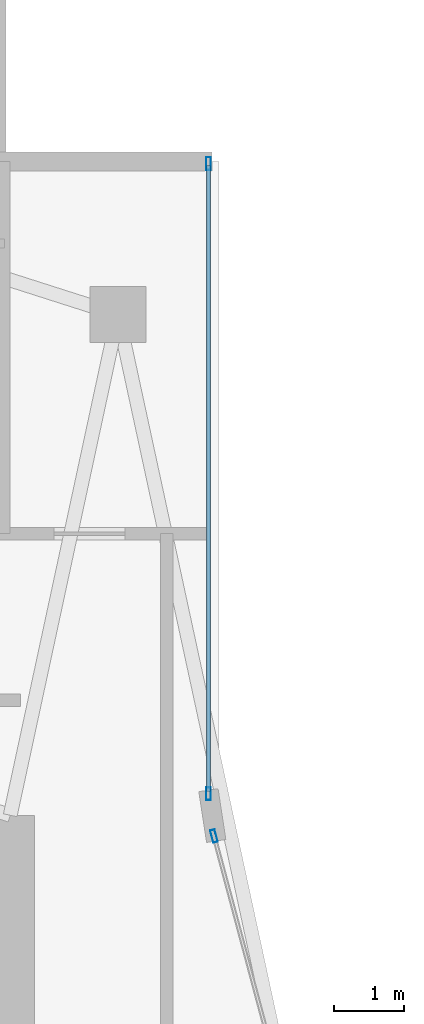
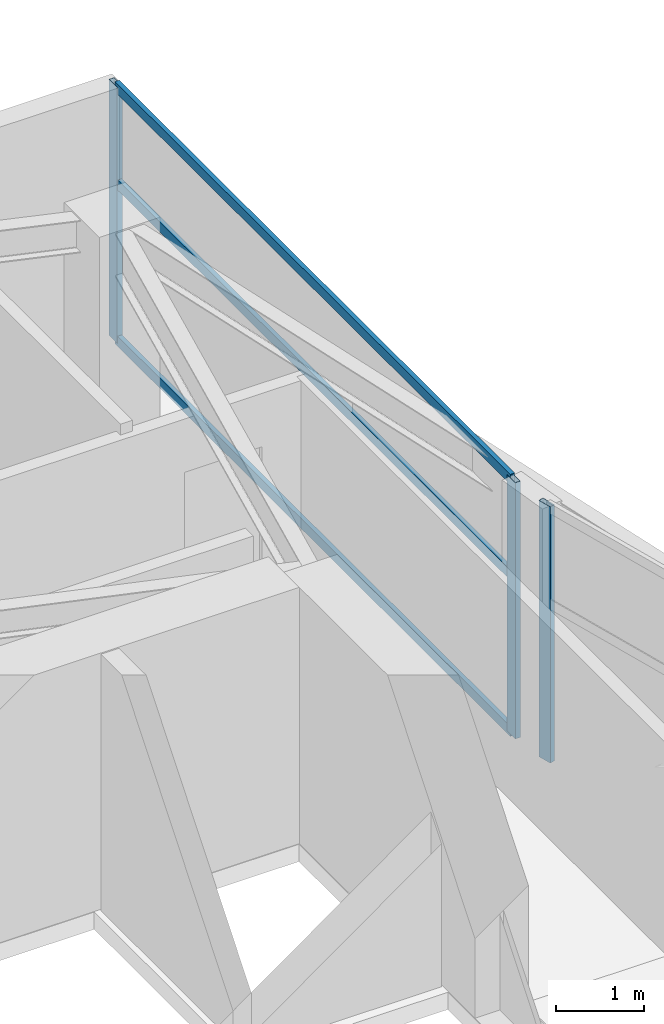
# One storey, part 18 of 27: 6 members, 2 elements without a shape of their own.
"""IFC4 building model written with IfcOpenShell, lengths in metres."""

from ifc_helpers import new_model, si_unit, direction, frame, origin, origin_2d, place, context, subcontext, project, spatial, hollow_rectangle, extrude, material, layer, layer_set, material_profile, profile_set, type_object, element, aggregate, save


model = new_model("IFC4")

# Units and contexts
model_context = context("Model", 3, precision=1e-05, world=origin(), true_north=direction((0.0, 1.0)))
body_context = subcontext(model_context, "Body", "Model", "MODEL_VIEW")
ifc_project = project(units=[si_unit("LENGTHUNIT", "METRE"), si_unit("AREAUNIT", "SQUARE_METRE"), si_unit("VOLUMEUNIT", "CUBIC_METRE"), si_unit("PLANEANGLEUNIT", "RADIAN"), si_unit("MASSUNIT", "GRAM", prefix="KILO")], contexts=[model_context])

# Site, building, storey
site_placement = place(None, origin())
site = spatial("IfcSite", under=ifc_project, at=site_placement, CompositionType="ELEMENT")
building_placement = place(site_placement, origin())
building = spatial("IfcBuilding", under=site, at=building_placement, Name="Calvorn Quay Hotel", CompositionType="ELEMENT")
storey_placement = place(building_placement, frame((0.0, 0.0, 226.89990234375)))
storey = spatial("IfcBuildingStorey", under=building, at=storey_placement, Name="L56", CompositionType="ELEMENT", Elevation=226.89990234375)

# Curtain wall, member
ifc_material_1 = material(Name="Champagne Bronze Anodised Aluminium and Low-E Glass", Category="aluminium")
ifc_layer = layer(ifc_material_1, 0.219970703125)
ifc_layer_set = layer_set([ifc_layer], Name="CW-SYS-Z3")
curtain_wall_type = type_object("IfcCurtainWallType", Name="CW-SYS-Z3", PredefinedType="NOTDEFINED", material=ifc_layer_set)
curtain_wall_1_placement = place(storey_placement, origin())
curtain_wall_1 = element("IfcCurtainWall", 1, at=curtain_wall_1_placement, inside=storey, type_object=curtain_wall_type, Name="Inner Court Curtain Wall L56-IC1", PredefinedType="NOTDEFINED")
ifc_material_2 = material(Name="Champagne Bronze Anodised Aluminium 6063-T6", Category="aluminium")
ifc_material_profile_1 = material_profile(ifc_material_2, hollow_rectangle(XDim=0.068115234375, YDim=0.18505859375, WallThickness=0.00390625, at=origin_2d()), Name="ALU-M185x68x4")
ifc_profile_set_1 = profile_set([ifc_material_profile_1], Name="Champagne Bronze Anodised Aluminium 6063-T6")
member_type_1 = type_object("IfcMemberType", Name="CW-SYS-Z3-MUL", PredefinedType="MULLION", material=ifc_profile_set_1)
member_1_placement = place(storey_placement, frame((17.9296875, 38.10107421875, 0.0), z_axis=(0.0, 0.0, 1.0), x_axis=(-0.96593652056, -0.25877913024, 0.0)))
member_1 = element("IfcMember", 2, at=member_1_placement, type_object=member_type_1, Name="CW-L56-IC1 mullion 2", PredefinedType="MULLION", context=body_context, shape_type="SweptSolid", body=[
    extrude(hollow_rectangle(XDim=0.068115234375, YDim=0.18505859375, WallThickness=0.00390625, at=origin_2d()), origin(), (0.0, 0.0, 1.0), 3.56005859375),
])
aggregate(curtain_wall_1, [member_1])

# Curtain wall, members
curtain_wall_2_placement = place(storey_placement, origin())
curtain_wall_2 = element("IfcCurtainWall", 3, at=curtain_wall_2_placement, inside=storey, type_object=curtain_wall_type, Name="Inner Court Curtain Wall L56-IC2", PredefinedType="NOTDEFINED")
member_2_placement = place(storey_placement, frame((17.85009765625, 38.7099609375, 0.0), z_axis=(0.0, 0.0, 1.0), x_axis=(-1.0, 0.0, 0.0)))
member_2 = element("IfcMember", 4, at=member_2_placement, type_object=member_type_1, Name="CW-L56-IC2 mullion 1", PredefinedType="MULLION", context=body_context, shape_type="SweptSolid", body=[
    extrude(hollow_rectangle(XDim=0.068115234375, YDim=0.18505859375, WallThickness=0.00390625, at=origin_2d()), origin(), (0.0, 0.0, 1.0), 3.56005859375),
])
member_3_placement = place(storey_placement, frame((17.85009765625, 47.77001953125, 0.0), z_axis=(0.0, 0.0, 1.0), x_axis=(-1.0, 0.0, 0.0)))
member_3 = element("IfcMember", 5, at=member_3_placement, type_object=member_type_1, Name="CW-L56-IC2 mullion 2", PredefinedType="MULLION", context=body_context, shape_type="SweptSolid", body=[
    extrude(hollow_rectangle(XDim=0.068115234375, YDim=0.18505859375, WallThickness=0.00390625, at=origin_2d()), origin(), (0.0, 0.0, 1.0), 3.56005859375),
])
ifc_material_3 = material(Name="Champagne Bronze Anodised Aluminium 6063-T6", Category="aluminium")
ifc_material_profile_2 = material_profile(ifc_material_3, hollow_rectangle(XDim=0.05810546875, YDim=0.139892578125, WallThickness=0.003173828125, at=origin_2d()), Name="ALU-T140x58x3.2")
ifc_profile_set_2 = profile_set([ifc_material_profile_2], Name="Champagne Bronze Anodised Aluminium 6063-T6")
member_type_2 = type_object("IfcMemberType", Name="CW-SYS-Z3-TRN", PredefinedType="USERDEFINED", material=ifc_profile_set_2)
member_4_placement = place(storey_placement, frame((17.85009765625, 38.739990234375, 0.030029296875), z_axis=(0.0, 1.0, 0.0), x_axis=(-1.0, 0.0, 0.0)))
member_4 = element("IfcMember", 6, at=member_4_placement, type_object=member_type_2, Name="CW-L56-IC2 transom 1.1", ObjectType="TRANSOM", PredefinedType="USERDEFINED", context=body_context, shape_type="SweptSolid", body=[
    extrude(hollow_rectangle(XDim=0.05810546875, YDim=0.139892578125, WallThickness=0.003173828125, at=origin_2d()), origin(), (0.0, 0.0, 1.0), 9.0),
])
member_5_placement = place(storey_placement, frame((17.85009765625, 38.739990234375, 2.2001953125), z_axis=(0.0, 1.0, 0.0), x_axis=(-1.0, 0.0, 0.0)))
member_5 = element("IfcMember", 7, at=member_5_placement, type_object=member_type_2, Name="CW-L56-IC2 transom 1.2", ObjectType="TRANSOM", PredefinedType="USERDEFINED", context=body_context, shape_type="SweptSolid", body=[
    extrude(hollow_rectangle(XDim=0.05810546875, YDim=0.139892578125, WallThickness=0.003173828125, at=origin_2d()), origin(), (0.0, 0.0, 1.0), 9.0),
])
member_6_placement = place(storey_placement, frame((17.85009765625, 38.739990234375, 3.530029296875), z_axis=(0.0, 1.0, 0.0), x_axis=(-1.0, 0.0, 0.0)))
member_6 = element("IfcMember", 8, at=member_6_placement, type_object=member_type_2, Name="CW-L56-IC2 transom 1.3", ObjectType="TRANSOM", PredefinedType="USERDEFINED", context=body_context, shape_type="SweptSolid", body=[
    extrude(hollow_rectangle(XDim=0.05810546875, YDim=0.139892578125, WallThickness=0.003173828125, at=origin_2d()), origin(), (0.0, 0.0, 1.0), 9.0),
])
aggregate(curtain_wall_2, [member_2, member_3, member_4, member_5, member_6])

save(model, "model.ifc")
